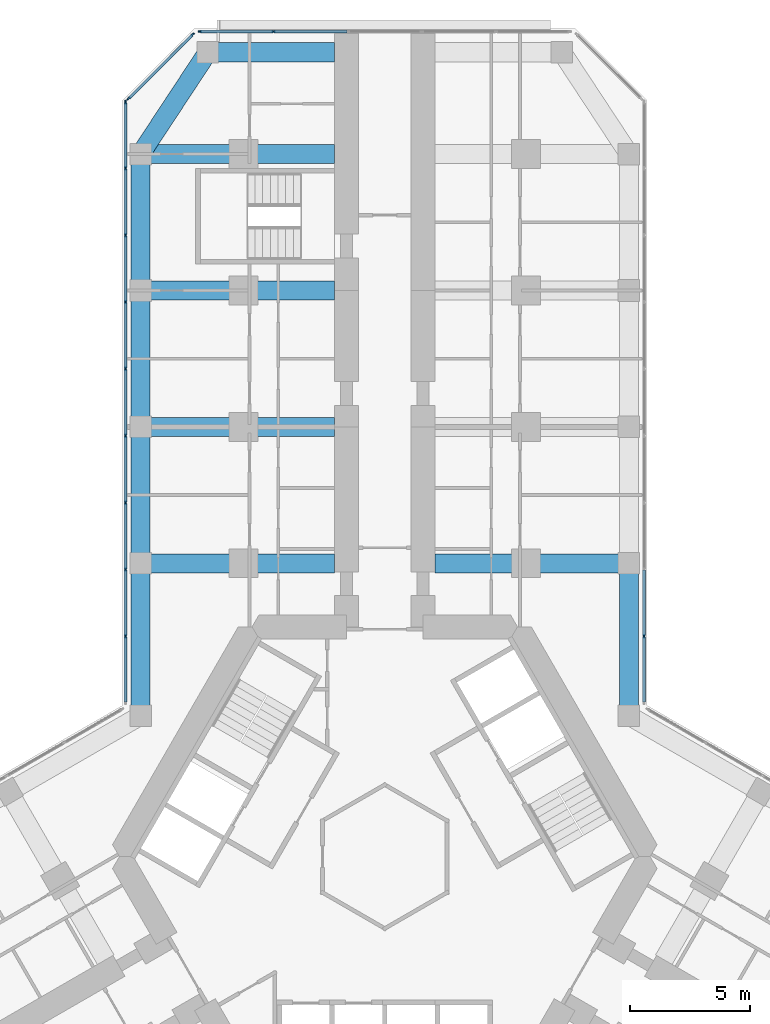
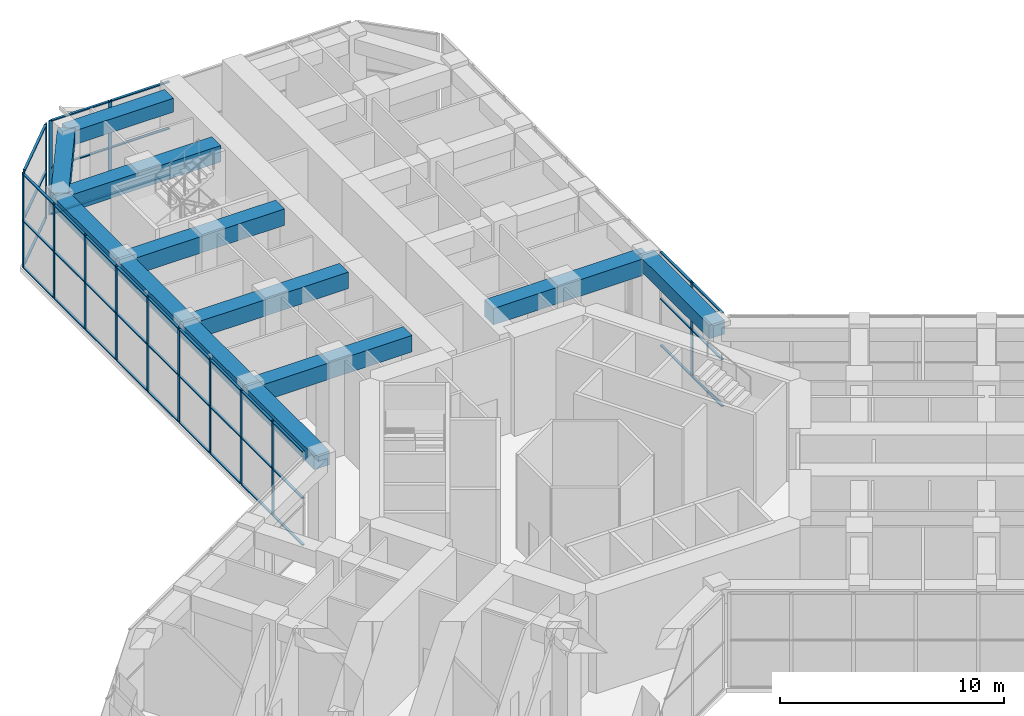
# One storey, part 8 of 23: 56 members, 12 beams, 4 elements without a shape of their own.
"""IFC4 building model written with IfcOpenShell, lengths in metres."""

from ifc_helpers import new_model, si_unit, direction, frame, origin, origin_2d, place, context, subcontext, project, spatial, rectangle, extrude, material, material_profile, profile_set, type_object, element, aggregate, save


model = new_model("IFC4")

# Units and contexts
model_context = context("Model", 3, precision=1e-05, world=origin(), true_north=direction((0.0, 1.0)))
body_context = subcontext(model_context, "Body", "Model", "MODEL_VIEW")
ifc_project = project(units=[si_unit("LENGTHUNIT", "METRE"), si_unit("AREAUNIT", "SQUARE_METRE"), si_unit("VOLUMEUNIT", "CUBIC_METRE"), si_unit("PLANEANGLEUNIT", "RADIAN"), si_unit("MASSUNIT", "GRAM", prefix="KILO")], contexts=[model_context])

# Site, building, storey
site_placement = place(None, origin())
site = spatial("IfcSite", under=ifc_project, at=site_placement, CompositionType="ELEMENT")
building_placement = place(site_placement, origin())
building = spatial("IfcBuilding", under=site, at=building_placement, Name="Kosmar Iwan School Tower", CompositionType="ELEMENT")
storey_placement = place(building_placement, frame((0.0, 0.0, 75.39990234375)))
storey = spatial("IfcBuildingStorey", under=building, at=storey_placement, Name="L18", CompositionType="ELEMENT", Elevation=75.39990234375)

# Curtain wall, member
ifc_material_1 = material(Name="Dark glass in black aluminium frame", Category="aluminium")
curtain_wall_type_1 = type_object("IfcCurtainWallType", Name="Winter garden curtain wall", PredefinedType="USERDEFINED", material=ifc_material_1)
curtain_wall_1_placement = place(storey_placement, origin())
curtain_wall_1 = element("IfcCurtainWall", 1, at=curtain_wall_1_placement, inside=storey, type_object=curtain_wall_type_1, Name="Curtain wall L18-F06", ObjectType="WINTER GARDEN CURTAIN WALL", PredefinedType="USERDEFINED")
ifc_material_2 = material(Name="Black anodised aluminium", Category="aluminium")
ifc_material_profile_1 = material_profile(ifc_material_2, rectangle(XDim=0.06005859375, YDim=0.159912109375, at=origin_2d()), Name="MULLION 60x160")
ifc_profile_set_1 = profile_set([ifc_material_profile_1], Name="Black anodised aluminium")
member_type_1 = type_object("IfcMemberType", Name="Mullion 60x160", PredefinedType="MULLION", material=ifc_profile_set_1)
member_1_placement = place(storey_placement, frame((10.824951171875, 9.2021484375, 0.0), z_axis=(0.0, 0.0, 1.0), x_axis=(-1.0, 0.0, 0.0)))
member_1 = element("IfcMember", 2, at=member_1_placement, type_object=member_type_1, Name="CW7 mullion 2", PredefinedType="MULLION", context=body_context, shape_type="SweptSolid", body=[
    extrude(rectangle(XDim=0.06005859375, YDim=0.159912109375, at=origin_2d()), origin(), (0.0, 0.0, 1.0), 5.150146484375),
])

# Curtain wall, members
ifc_material_3 = material(Name="Dark glass in black aluminium frame", Category="aluminium")
curtain_wall_type_2 = type_object("IfcCurtainWallType", Name="Tower curtain wall dark glass", PredefinedType="USERDEFINED", material=ifc_material_3)
curtain_wall_2_placement = place(storey_placement, origin())
curtain_wall_2 = element("IfcCurtainWall", 3, at=curtain_wall_2_placement, inside=storey, type_object=curtain_wall_type_2, Name="Curtain wall L18-F08", ObjectType="UNITISED CURTAIN WALL", PredefinedType="USERDEFINED")
member_2_placement = place(storey_placement, frame((-4.64892578125, 34.47509765625, 0.0), z_axis=(0.0, 0.0, 1.0), x_axis=(0.0, -1.0, 0.0)))
member_2 = element("IfcMember", 4, at=member_2_placement, type_object=member_type_1, Name="CW1 mullion 5", PredefinedType="MULLION", context=body_context, shape_type="SweptSolid", body=[
    extrude(rectangle(XDim=0.06005859375, YDim=0.159912109375, at=origin_2d()), origin(), (0.0, 0.0, 1.0), 5.150146484375),
])
member_3_placement = place(storey_placement, frame((-7.71826171875, 34.47509765625, 0.0), z_axis=(0.0, 0.0, 1.0), x_axis=(0.0, -1.0, 0.0)))
member_3 = element("IfcMember", 5, at=member_3_placement, type_object=member_type_1, Name="CW1 mullion 6", PredefinedType="MULLION", context=body_context, shape_type="SweptSolid", body=[
    extrude(rectangle(XDim=0.06005859375, YDim=0.159912109375, at=origin_2d()), origin(), (0.0, 0.0, 1.0), 5.150146484375),
])

ifc_material_4 = material(Name="Dark glass in black aluminium frame", Category="aluminium")
curtain_wall_type_3 = type_object("IfcCurtainWallType", Name="Chamfer curtain wall dark glass", PredefinedType="USERDEFINED", material=ifc_material_4)
curtain_wall_3_placement = place(storey_placement, origin())
curtain_wall_3 = element("IfcCurtainWall", 6, at=curtain_wall_3_placement, inside=storey, type_object=curtain_wall_type_3, Name="Curtain wall L18-F09", ObjectType="FACETED CURTAIN WALL", PredefinedType="USERDEFINED")
member_4_placement = place(storey_placement, frame((-8.025390625, 34.34765625, 0.0), z_axis=(0.0, 0.0, 1.0), x_axis=(0.707106781187, -0.707106781187, 0.0)))
member_4 = element("IfcMember", 7, at=member_4_placement, type_object=member_type_1, Name="CW2 mullion 1", PredefinedType="MULLION", context=body_context, shape_type="SweptSolid", body=[
    extrude(rectangle(XDim=0.06005859375, YDim=0.159912109375, at=origin_2d()), origin(), (0.0, 0.0, 1.0), 5.150146484375),
])
member_5_placement = place(storey_placement, frame((-10.69775390625, 31.675537109375, 0.0), z_axis=(0.0, 0.0, 1.0), x_axis=(0.707106781187, -0.707106781187, 0.0)))
member_5 = element("IfcMember", 8, at=member_5_placement, type_object=member_type_1, Name="CW2 mullion 2", PredefinedType="MULLION", context=body_context, shape_type="SweptSolid", body=[
    extrude(rectangle(XDim=0.06005859375, YDim=0.159912109375, at=origin_2d()), origin(), (0.0, 0.0, 1.0), 5.150146484375),
])

curtain_wall_4_placement = place(storey_placement, origin())
curtain_wall_4 = element("IfcCurtainWall", 9, at=curtain_wall_4_placement, inside=storey, type_object=curtain_wall_type_1, Name="Curtain wall L18-F10", ObjectType="WINTER GARDEN CURTAIN WALL", PredefinedType="USERDEFINED")
member_6_placement = place(storey_placement, frame((-10.824951171875, 9.2021484375, 0.0), z_axis=(0.0, 0.0, 1.0), x_axis=(-1.0, 0.0, 0.0)))
member_6 = element("IfcMember", 10, at=member_6_placement, type_object=member_type_1, Name="CW7 mullion 2", PredefinedType="MULLION", context=body_context, shape_type="SweptSolid", body=[
    extrude(rectangle(XDim=0.06005859375, YDim=0.159912109375, at=origin_2d()), origin(), (0.0, 0.0, 1.0), 5.150146484375),
])
member_7_placement = place(storey_placement, frame((-10.824951171875, 11.995361328125, 0.0), z_axis=(0.0, 0.0, 1.0), x_axis=(-1.0, 0.0, 0.0)))
member_7 = element("IfcMember", 11, at=member_7_placement, type_object=member_type_1, Name="CW7 mullion 3", PredefinedType="MULLION", context=body_context, shape_type="SweptSolid", body=[
    extrude(rectangle(XDim=0.06005859375, YDim=0.159912109375, at=origin_2d()), origin(), (0.0, 0.0, 1.0), 5.150146484375),
])
member_8_placement = place(storey_placement, frame((-10.824951171875, 14.788818359375, 0.0), z_axis=(0.0, 0.0, 1.0), x_axis=(-1.0, 0.0, 0.0)))
member_8 = element("IfcMember", 12, at=member_8_placement, type_object=member_type_1, Name="CW7 mullion 4", PredefinedType="MULLION", context=body_context, shape_type="SweptSolid", body=[
    extrude(rectangle(XDim=0.06005859375, YDim=0.159912109375, at=origin_2d()), origin(), (0.0, 0.0, 1.0), 5.150146484375),
])
member_9_placement = place(storey_placement, frame((-10.824951171875, 17.58203125, 0.0), z_axis=(0.0, 0.0, 1.0), x_axis=(-1.0, 0.0, 0.0)))
member_9 = element("IfcMember", 13, at=member_9_placement, type_object=member_type_1, Name="CW7 mullion 5", PredefinedType="MULLION", context=body_context, shape_type="SweptSolid", body=[
    extrude(rectangle(XDim=0.06005859375, YDim=0.159912109375, at=origin_2d()), origin(), (0.0, 0.0, 1.0), 5.150146484375),
])
member_10_placement = place(storey_placement, frame((-10.824951171875, 20.375244140625, 0.0), z_axis=(0.0, 0.0, 1.0), x_axis=(-1.0, 0.0, 0.0)))
member_10 = element("IfcMember", 14, at=member_10_placement, type_object=member_type_1, Name="CW7 mullion 6", PredefinedType="MULLION", context=body_context, shape_type="SweptSolid", body=[
    extrude(rectangle(XDim=0.06005859375, YDim=0.159912109375, at=origin_2d()), origin(), (0.0, 0.0, 1.0), 5.150146484375),
])
member_11_placement = place(storey_placement, frame((-10.824951171875, 23.16845703125, 0.0), z_axis=(0.0, 0.0, 1.0), x_axis=(-1.0, 0.0, 0.0)))
member_11 = element("IfcMember", 15, at=member_11_placement, type_object=member_type_1, Name="CW7 mullion 7", PredefinedType="MULLION", context=body_context, shape_type="SweptSolid", body=[
    extrude(rectangle(XDim=0.06005859375, YDim=0.159912109375, at=origin_2d()), origin(), (0.0, 0.0, 1.0), 5.150146484375),
])
member_12_placement = place(storey_placement, frame((-10.824951171875, 25.961669921875, 0.0), z_axis=(0.0, 0.0, 1.0), x_axis=(-1.0, 0.0, 0.0)))
member_12 = element("IfcMember", 16, at=member_12_placement, type_object=member_type_1, Name="CW7 mullion 8", PredefinedType="MULLION", context=body_context, shape_type="SweptSolid", body=[
    extrude(rectangle(XDim=0.06005859375, YDim=0.159912109375, at=origin_2d()), origin(), (0.0, 0.0, 1.0), 5.150146484375),
])
member_13_placement = place(storey_placement, frame((-10.824951171875, 28.7548828125, 0.0), z_axis=(0.0, 0.0, 1.0), x_axis=(-1.0, 0.0, 0.0)))
member_13 = element("IfcMember", 17, at=member_13_placement, type_object=member_type_1, Name="CW7 mullion 9", PredefinedType="MULLION", context=body_context, shape_type="SweptSolid", body=[
    extrude(rectangle(XDim=0.06005859375, YDim=0.159912109375, at=origin_2d()), origin(), (0.0, 0.0, 1.0), 5.150146484375),
])
member_14_placement = place(storey_placement, frame((-10.824951171875, 31.518310546875, 0.0), z_axis=(0.0, 0.0, 1.0), x_axis=(-1.0, 0.0, 0.0)))
member_14 = element("IfcMember", 18, at=member_14_placement, type_object=member_type_1, Name="CW7 mullion 10", PredefinedType="MULLION", context=body_context, shape_type="SweptSolid", body=[
    extrude(rectangle(XDim=0.06005859375, YDim=0.159912109375, at=origin_2d()), origin(), (0.0, 0.0, 1.0), 5.150146484375),
])

# Beams
ifc_material_5 = material(Name="Concrete C50/60", Category="concrete")
ifc_material_profile_2 = material_profile(ifc_material_5, rectangle(XDim=0.800048828125, YDim=0.75, at=origin_2d()), Name="RC 800x750")
ifc_profile_set_2 = profile_set([ifc_material_profile_2], Name="Concrete C50/60")
beam_type_1 = type_object("IfcBeamType", Name="RC edge beam 800x750", PredefinedType="BEAM", material=ifc_profile_set_2)
beam_1_placement = place(storey_placement, frame((-10.199951171875, 5.888916015625, 4.775146484375), z_axis=(0.0, 1.0, 0.0), x_axis=(-1.0, 0.0, 0.0)))
element("IfcBeam", 19, at=beam_1_placement, inside=storey, type_object=beam_type_1, Name="Edge beam AL1", PredefinedType="BEAM", context=body_context, shape_type="SweptSolid", body=[
    extrude(rectangle(XDim=0.800048828125, YDim=0.75, at=origin_2d()), origin(), (0.0, 0.0, 1.0), 6.361083984375),
])
for number, where, z_axis, x_axis, name in (
    (20, (-10.199951171875, 12.25, 4.775146484375), (0.0, 1.0, 0.0), (-1.0, 0.0, 0.0), "Edge beam AL2"),
    (21, (-10.199951171875, 17.949951171875, 4.775146484375), (0.0, 1.0, 0.0), (-1.0, 0.0, 0.0), "Edge beam AL3"),
):
    element("IfcBeam", number, at=place(storey_placement, frame(where, z_axis=z_axis, x_axis=x_axis)), inside=storey, type_object=beam_type_1, Name=name, PredefinedType="BEAM", context=body_context, shape_type="SweptSolid", body=[
        extrude(rectangle(XDim=0.800048828125, YDim=0.75, at=origin_2d()), origin(), (0.0, 0.0, 1.0), 5.699951171875),
    ])
beam_2_placement = place(storey_placement, frame((-10.199951171875, 23.64990234375, 4.775146484375), z_axis=(0.0, 1.0, 0.0), x_axis=(-1.0, 0.0, 0.0)))
element("IfcBeam", 22, at=beam_2_placement, inside=storey, type_object=beam_type_1, Name="Edge beam AL4", PredefinedType="BEAM", context=body_context, shape_type="SweptSolid", body=[
    extrude(rectangle(XDim=0.800048828125, YDim=0.75, at=origin_2d()), origin(), (0.0, 0.0, 1.0), 5.7001953125),
])
beam_3_placement = place(storey_placement, frame((10.199951171875, 5.888916015625, 4.775146484375), z_axis=(0.0, 1.0, 0.0), x_axis=(-1.0, 0.0, 0.0)))
element("IfcBeam", 23, at=beam_3_placement, inside=storey, type_object=beam_type_1, Name="Edge beam AR1", PredefinedType="BEAM", context=body_context, shape_type="SweptSolid", body=[
    extrude(rectangle(XDim=0.800048828125, YDim=0.75, at=origin_2d()), origin(), (0.0, 0.0, 1.0), 6.361083984375),
])
ifc_material_6 = material(Name="Concrete C50/60", Category="concrete")
ifc_material_profile_3 = material_profile(ifc_material_6, rectangle(XDim=0.800048828125, YDim=0.75, at=origin_2d()), Name="RC 800x750")
ifc_profile_set_3 = profile_set([ifc_material_profile_3], Name="Concrete C50/60")
beam_type_2 = type_object("IfcBeamType", Name="RC tip beam 800x750", PredefinedType="BEAM", material=ifc_profile_set_3)
beam_4_placement = place(storey_placement, frame((-10.199951171875, 29.35009765625, 4.775146484375), z_axis=(0.550164383043, 0.835056376319, 0.0), x_axis=(-0.835056376319, 0.550164383043, 0.0)))
element("IfcBeam", 24, at=beam_4_placement, inside=storey, type_object=beam_type_2, Name="Tip beam AL", PredefinedType="BEAM", context=body_context, shape_type="SweptSolid", body=[
    extrude(rectangle(XDim=0.800048828125, YDim=0.75, at=origin_2d()), origin(), (0.0, 0.0, 1.0), 5.08935546875),
])
beam_5_placement = place(storey_placement, frame((-7.39990234375, 33.60009765625, 4.775146484375), z_axis=(1.0, 0.0, 0.0), x_axis=(0.0, 1.0, 0.0)))
element("IfcBeam", 25, at=beam_5_placement, inside=storey, type_object=beam_type_2, Name="Tip beam AL to corridor wall", PredefinedType="BEAM", context=body_context, shape_type="SweptSolid", body=[
    extrude(rectangle(XDim=0.800048828125, YDim=0.75, at=origin_2d()), origin(), (0.0, 0.0, 1.0), 5.2998046875),
])
ifc_material_7 = material(Name="Concrete C50/60", Category="concrete")
ifc_material_profile_4 = material_profile(ifc_material_7, rectangle(XDim=0.800048828125, YDim=0.89990234375, at=origin_2d()), Name="RC 800x900")
ifc_profile_set_4 = profile_set([ifc_material_profile_4], Name="Concrete C50/60")
beam_type_3 = type_object("IfcBeamType", Name="RC transverse beam 800x900", PredefinedType="BEAM", material=ifc_profile_set_4)
for number, where, z_axis, x_axis, name in (
    (26, (-10.199951171875, 12.25, 4.7001953125), (1.0, 0.0, 0.0), (0.0, 1.0, 0.0), "Transverse beam AL1"),
    (27, (-10.199951171875, 17.949951171875, 4.7001953125), (1.0, 0.0, 0.0), (0.0, 1.0, 0.0), "Transverse beam AL2"),
    (28, (-10.199951171875, 23.64990234375, 4.7001953125), (1.0, 0.0, 0.0), (0.0, 1.0, 0.0), "Transverse beam AL3"),
    (29, (-10.199951171875, 29.35009765625, 4.7001953125), (1.0, 0.0, 0.0), (0.0, 1.0, 0.0), "Transverse beam AL4"),
    (30, (10.199951171875, 12.25, 4.7001953125), (-1.0, 0.0, 0.0), (0.0, -1.0, 0.0), "Transverse beam AR1"),
):
    element("IfcBeam", number, at=place(storey_placement, frame(where, z_axis=z_axis, x_axis=x_axis)), inside=storey, type_object=beam_type_3, Name=name, PredefinedType="BEAM", context=body_context, shape_type="SweptSolid", body=[
        extrude(rectangle(XDim=0.800048828125, YDim=0.89990234375, at=origin_2d()), origin(), (0.0, 0.0, 1.0), 8.099853515625),
    ])

# Member
ifc_material_8 = material(Name="Black anodised aluminium", Category="aluminium")
ifc_material_profile_5 = material_profile(ifc_material_8, rectangle(XDim=0.1201171875, YDim=0.06005859375, at=origin_2d()), Name="TRANSOM 60x120")
ifc_profile_set_5 = profile_set([ifc_material_profile_5], Name="Black anodised aluminium")
member_type_2 = type_object("IfcMemberType", Name="Transom 60x120", PredefinedType="USERDEFINED", material=ifc_profile_set_5)
member_15_placement = place(storey_placement, frame((10.824951171875, 6.468994140625, 0.030029296875), z_axis=(0.0, 1.0, 0.0), x_axis=(-1.0, 0.0, 0.0)))
member_15 = element("IfcMember", 31, at=member_15_placement, type_object=member_type_2, Name="CW7 transom 1.1", ObjectType="TRANSOM", PredefinedType="USERDEFINED", context=body_context, shape_type="SweptSolid", body=[
    extrude(rectangle(XDim=0.1201171875, YDim=0.06005859375, at=origin_2d()), origin(), (0.0, 0.0, 1.0), 2.703125),
])

member_16_placement = place(storey_placement, frame((10.824951171875, 6.468994140625, 2.5751953125), z_axis=(0.0, 1.0, 0.0), x_axis=(-1.0, 0.0, 0.0)))
member_16 = element("IfcMember", 32, at=member_16_placement, type_object=member_type_2, Name="CW7 transom 1.2", ObjectType="TRANSOM", PredefinedType="USERDEFINED", context=body_context, shape_type="SweptSolid", body=[
    extrude(rectangle(XDim=0.1201171875, YDim=0.06005859375, at=origin_2d()), origin(), (0.0, 0.0, 1.0), 2.703125),
])

member_17_placement = place(storey_placement, frame((10.824951171875, 6.468994140625, 5.1201171875), z_axis=(0.0, 1.0, 0.0), x_axis=(-1.0, 0.0, 0.0)))
member_17 = element("IfcMember", 33, at=member_17_placement, type_object=member_type_2, Name="CW7 transom 1.3", ObjectType="TRANSOM", PredefinedType="USERDEFINED", context=body_context, shape_type="SweptSolid", body=[
    extrude(rectangle(XDim=0.1201171875, YDim=0.06005859375, at=origin_2d()), origin(), (0.0, 0.0, 1.0), 2.703125),
])

member_18_placement = place(storey_placement, frame((10.824951171875, 9.232177734375, 0.030029296875), z_axis=(0.0, 1.0, 0.0), x_axis=(-1.0, 0.0, 0.0)))
member_18 = element("IfcMember", 34, at=member_18_placement, type_object=member_type_2, Name="CW7 transom 2.1", ObjectType="TRANSOM", PredefinedType="USERDEFINED", context=body_context, shape_type="SweptSolid", body=[
    extrude(rectangle(XDim=0.1201171875, YDim=0.06005859375, at=origin_2d()), origin(), (0.0, 0.0, 1.0), 2.7333984375),
])

member_19_placement = place(storey_placement, frame((10.824951171875, 9.232177734375, 2.5751953125), z_axis=(0.0, 1.0, 0.0), x_axis=(-1.0, 0.0, 0.0)))
member_19 = element("IfcMember", 35, at=member_19_placement, type_object=member_type_2, Name="CW7 transom 2.2", ObjectType="TRANSOM", PredefinedType="USERDEFINED", context=body_context, shape_type="SweptSolid", body=[
    extrude(rectangle(XDim=0.1201171875, YDim=0.06005859375, at=origin_2d()), origin(), (0.0, 0.0, 1.0), 2.7333984375),
])

member_20_placement = place(storey_placement, frame((10.824951171875, 9.232177734375, 5.1201171875), z_axis=(0.0, 1.0, 0.0), x_axis=(-1.0, 0.0, 0.0)))
member_20 = element("IfcMember", 36, at=member_20_placement, type_object=member_type_2, Name="CW7 transom 2.3", ObjectType="TRANSOM", PredefinedType="USERDEFINED", context=body_context, shape_type="SweptSolid", body=[
    extrude(rectangle(XDim=0.1201171875, YDim=0.06005859375, at=origin_2d()), origin(), (0.0, 0.0, 1.0), 2.7333984375),
])

aggregate(curtain_wall_1, [member_1, member_15, member_16, member_17, member_18, member_19, member_20])

member_21_placement = place(storey_placement, frame((-1.57958984375, 34.47509765625, 0.030029296875), z_axis=(-1.0, 0.0, 0.0), x_axis=(0.0, -1.0, 0.0)))
member_21 = element("IfcMember", 37, at=member_21_placement, type_object=member_type_2, Name="CW1 transom 4.1", ObjectType="TRANSOM", PredefinedType="USERDEFINED", context=body_context, shape_type="SweptSolid", body=[
    extrude(rectangle(XDim=0.1201171875, YDim=0.06005859375, at=origin_2d()), origin(), (0.0, 0.0, 1.0), 3.039306640625),
])

member_22_placement = place(storey_placement, frame((-1.57958984375, 34.47509765625, 2.5751953125), z_axis=(-1.0, 0.0, 0.0), x_axis=(0.0, -1.0, 0.0)))
member_22 = element("IfcMember", 38, at=member_22_placement, type_object=member_type_2, Name="CW1 transom 4.2", ObjectType="TRANSOM", PredefinedType="USERDEFINED", context=body_context, shape_type="SweptSolid", body=[
    extrude(rectangle(XDim=0.1201171875, YDim=0.06005859375, at=origin_2d()), origin(), (0.0, 0.0, 1.0), 3.039306640625),
])

member_23_placement = place(storey_placement, frame((-1.57958984375, 34.47509765625, 5.1201171875), z_axis=(-1.0, 0.0, 0.0), x_axis=(0.0, -1.0, 0.0)))
member_23 = element("IfcMember", 39, at=member_23_placement, type_object=member_type_2, Name="CW1 transom 4.3", ObjectType="TRANSOM", PredefinedType="USERDEFINED", context=body_context, shape_type="SweptSolid", body=[
    extrude(rectangle(XDim=0.1201171875, YDim=0.06005859375, at=origin_2d()), origin(), (0.0, 0.0, 1.0), 3.039306640625),
])

member_24_placement = place(storey_placement, frame((-4.678955078125, 34.47509765625, 0.030029296875), z_axis=(-1.0, 0.0, 0.0), x_axis=(0.0, -1.0, 0.0)))
member_24 = element("IfcMember", 40, at=member_24_placement, type_object=member_type_2, Name="CW1 transom 5.1", ObjectType="TRANSOM", PredefinedType="USERDEFINED", context=body_context, shape_type="SweptSolid", body=[
    extrude(rectangle(XDim=0.1201171875, YDim=0.06005859375, at=origin_2d()), origin(), (0.0, 0.0, 1.0), 3.00927734375),
])

member_25_placement = place(storey_placement, frame((-4.678955078125, 34.47509765625, 2.5751953125), z_axis=(-1.0, 0.0, 0.0), x_axis=(0.0, -1.0, 0.0)))
member_25 = element("IfcMember", 41, at=member_25_placement, type_object=member_type_2, Name="CW1 transom 5.2", ObjectType="TRANSOM", PredefinedType="USERDEFINED", context=body_context, shape_type="SweptSolid", body=[
    extrude(rectangle(XDim=0.1201171875, YDim=0.06005859375, at=origin_2d()), origin(), (0.0, 0.0, 1.0), 3.00927734375),
])

member_26_placement = place(storey_placement, frame((-4.678955078125, 34.47509765625, 5.1201171875), z_axis=(-1.0, 0.0, 0.0), x_axis=(0.0, -1.0, 0.0)))
member_26 = element("IfcMember", 42, at=member_26_placement, type_object=member_type_2, Name="CW1 transom 5.3", ObjectType="TRANSOM", PredefinedType="USERDEFINED", context=body_context, shape_type="SweptSolid", body=[
    extrude(rectangle(XDim=0.1201171875, YDim=0.06005859375, at=origin_2d()), origin(), (0.0, 0.0, 1.0), 3.00927734375),
])

aggregate(curtain_wall_2, [member_2, member_3, member_21, member_22, member_23, member_24, member_25, member_26])

member_27_placement = place(storey_placement, frame((-8.046630859375, 34.326416015625, 0.030029296875), z_axis=(-0.707139603466, -0.707073957383, 0.0), x_axis=(0.707073957383, -0.707139603466, 0.0)))
member_27 = element("IfcMember", 43, at=member_27_placement, type_object=member_type_2, Name="CW2 transom 1.1", ObjectType="TRANSOM", PredefinedType="USERDEFINED", context=body_context, shape_type="SweptSolid", body=[
    extrude(rectangle(XDim=0.1201171875, YDim=0.06005859375, at=origin_2d()), origin(), (0.0, 0.0, 1.0), 3.718994140625),
])

member_28_placement = place(storey_placement, frame((-8.046630859375, 34.326416015625, 2.5751953125), z_axis=(-0.707139603466, -0.707073957383, 0.0), x_axis=(0.707073957383, -0.707139603466, 0.0)))
member_28 = element("IfcMember", 44, at=member_28_placement, type_object=member_type_2, Name="CW2 transom 1.2", ObjectType="TRANSOM", PredefinedType="USERDEFINED", context=body_context, shape_type="SweptSolid", body=[
    extrude(rectangle(XDim=0.1201171875, YDim=0.06005859375, at=origin_2d()), origin(), (0.0, 0.0, 1.0), 3.718994140625),
])

member_29_placement = place(storey_placement, frame((-8.046630859375, 34.326416015625, 5.1201171875), z_axis=(-0.707139603466, -0.707073957383, 0.0), x_axis=(0.707073957383, -0.707139603466, 0.0)))
member_29 = element("IfcMember", 45, at=member_29_placement, type_object=member_type_2, Name="CW2 transom 1.3", ObjectType="TRANSOM", PredefinedType="USERDEFINED", context=body_context, shape_type="SweptSolid", body=[
    extrude(rectangle(XDim=0.1201171875, YDim=0.06005859375, at=origin_2d()), origin(), (0.0, 0.0, 1.0), 3.718994140625),
])

aggregate(curtain_wall_3, [member_4, member_5, member_27, member_28, member_29])

member_30_placement = place(storey_placement, frame((-10.824951171875, 6.468994140625, 0.030029296875), z_axis=(0.0, 1.0, 0.0), x_axis=(-1.0, 0.0, 0.0)))
member_30 = element("IfcMember", 46, at=member_30_placement, type_object=member_type_2, Name="CW7 transom 1.1", ObjectType="TRANSOM", PredefinedType="USERDEFINED", context=body_context, shape_type="SweptSolid", body=[
    extrude(rectangle(XDim=0.1201171875, YDim=0.06005859375, at=origin_2d()), origin(), (0.0, 0.0, 1.0), 2.703125),
])

member_31_placement = place(storey_placement, frame((-10.824951171875, 6.468994140625, 2.5751953125), z_axis=(0.0, 1.0, 0.0), x_axis=(-1.0, 0.0, 0.0)))
member_31 = element("IfcMember", 47, at=member_31_placement, type_object=member_type_2, Name="CW7 transom 1.2", ObjectType="TRANSOM", PredefinedType="USERDEFINED", context=body_context, shape_type="SweptSolid", body=[
    extrude(rectangle(XDim=0.1201171875, YDim=0.06005859375, at=origin_2d()), origin(), (0.0, 0.0, 1.0), 2.703125),
])

member_32_placement = place(storey_placement, frame((-10.824951171875, 6.468994140625, 5.1201171875), z_axis=(0.0, 1.0, 0.0), x_axis=(-1.0, 0.0, 0.0)))
member_32 = element("IfcMember", 48, at=member_32_placement, type_object=member_type_2, Name="CW7 transom 1.3", ObjectType="TRANSOM", PredefinedType="USERDEFINED", context=body_context, shape_type="SweptSolid", body=[
    extrude(rectangle(XDim=0.1201171875, YDim=0.06005859375, at=origin_2d()), origin(), (0.0, 0.0, 1.0), 2.703125),
])

member_33_placement = place(storey_placement, frame((-10.824951171875, 9.232177734375, 0.030029296875), z_axis=(0.0, 1.0, 0.0), x_axis=(-1.0, 0.0, 0.0)))
member_33 = element("IfcMember", 49, at=member_33_placement, type_object=member_type_2, Name="CW7 transom 2.1", ObjectType="TRANSOM", PredefinedType="USERDEFINED", context=body_context, shape_type="SweptSolid", body=[
    extrude(rectangle(XDim=0.1201171875, YDim=0.06005859375, at=origin_2d()), origin(), (0.0, 0.0, 1.0), 2.7333984375),
])

member_34_placement = place(storey_placement, frame((-10.824951171875, 9.232177734375, 2.5751953125), z_axis=(0.0, 1.0, 0.0), x_axis=(-1.0, 0.0, 0.0)))
member_34 = element("IfcMember", 50, at=member_34_placement, type_object=member_type_2, Name="CW7 transom 2.2", ObjectType="TRANSOM", PredefinedType="USERDEFINED", context=body_context, shape_type="SweptSolid", body=[
    extrude(rectangle(XDim=0.1201171875, YDim=0.06005859375, at=origin_2d()), origin(), (0.0, 0.0, 1.0), 2.7333984375),
])

member_35_placement = place(storey_placement, frame((-10.824951171875, 9.232177734375, 5.1201171875), z_axis=(0.0, 1.0, 0.0), x_axis=(-1.0, 0.0, 0.0)))
member_35 = element("IfcMember", 51, at=member_35_placement, type_object=member_type_2, Name="CW7 transom 2.3", ObjectType="TRANSOM", PredefinedType="USERDEFINED", context=body_context, shape_type="SweptSolid", body=[
    extrude(rectangle(XDim=0.1201171875, YDim=0.06005859375, at=origin_2d()), origin(), (0.0, 0.0, 1.0), 2.7333984375),
])

member_36_placement = place(storey_placement, frame((-10.824951171875, 12.025390625, 0.030029296875), z_axis=(0.0, 1.0, 0.0), x_axis=(-1.0, 0.0, 0.0)))
member_36 = element("IfcMember", 52, at=member_36_placement, type_object=member_type_2, Name="CW7 transom 3.1", ObjectType="TRANSOM", PredefinedType="USERDEFINED", context=body_context, shape_type="SweptSolid", body=[
    extrude(rectangle(XDim=0.1201171875, YDim=0.06005859375, at=origin_2d()), origin(), (0.0, 0.0, 1.0), 2.7333984375),
])

member_37_placement = place(storey_placement, frame((-10.824951171875, 12.025390625, 2.5751953125), z_axis=(0.0, 1.0, 0.0), x_axis=(-1.0, 0.0, 0.0)))
member_37 = element("IfcMember", 53, at=member_37_placement, type_object=member_type_2, Name="CW7 transom 3.2", ObjectType="TRANSOM", PredefinedType="USERDEFINED", context=body_context, shape_type="SweptSolid", body=[
    extrude(rectangle(XDim=0.1201171875, YDim=0.06005859375, at=origin_2d()), origin(), (0.0, 0.0, 1.0), 2.7333984375),
])

member_38_placement = place(storey_placement, frame((-10.824951171875, 12.025390625, 5.1201171875), z_axis=(0.0, 1.0, 0.0), x_axis=(-1.0, 0.0, 0.0)))
member_38 = element("IfcMember", 54, at=member_38_placement, type_object=member_type_2, Name="CW7 transom 3.3", ObjectType="TRANSOM", PredefinedType="USERDEFINED", context=body_context, shape_type="SweptSolid", body=[
    extrude(rectangle(XDim=0.1201171875, YDim=0.06005859375, at=origin_2d()), origin(), (0.0, 0.0, 1.0), 2.7333984375),
])

member_39_placement = place(storey_placement, frame((-10.824951171875, 14.818603515625, 0.030029296875), z_axis=(0.0, 1.0, 0.0), x_axis=(-1.0, 0.0, 0.0)))
member_39 = element("IfcMember", 55, at=member_39_placement, type_object=member_type_2, Name="CW7 transom 4.1", ObjectType="TRANSOM", PredefinedType="USERDEFINED", context=body_context, shape_type="SweptSolid", body=[
    extrude(rectangle(XDim=0.1201171875, YDim=0.06005859375, at=origin_2d()), origin(), (0.0, 0.0, 1.0), 2.7333984375),
])

member_40_placement = place(storey_placement, frame((-10.824951171875, 14.818603515625, 2.5751953125), z_axis=(0.0, 1.0, 0.0), x_axis=(-1.0, 0.0, 0.0)))
member_40 = element("IfcMember", 56, at=member_40_placement, type_object=member_type_2, Name="CW7 transom 4.2", ObjectType="TRANSOM", PredefinedType="USERDEFINED", context=body_context, shape_type="SweptSolid", body=[
    extrude(rectangle(XDim=0.1201171875, YDim=0.06005859375, at=origin_2d()), origin(), (0.0, 0.0, 1.0), 2.7333984375),
])

member_41_placement = place(storey_placement, frame((-10.824951171875, 14.818603515625, 5.1201171875), z_axis=(0.0, 1.0, 0.0), x_axis=(-1.0, 0.0, 0.0)))
member_41 = element("IfcMember", 57, at=member_41_placement, type_object=member_type_2, Name="CW7 transom 4.3", ObjectType="TRANSOM", PredefinedType="USERDEFINED", context=body_context, shape_type="SweptSolid", body=[
    extrude(rectangle(XDim=0.1201171875, YDim=0.06005859375, at=origin_2d()), origin(), (0.0, 0.0, 1.0), 2.7333984375),
])

member_42_placement = place(storey_placement, frame((-10.824951171875, 17.612060546875, 0.030029296875), z_axis=(0.0, 1.0, 0.0), x_axis=(-1.0, 0.0, 0.0)))
member_42 = element("IfcMember", 58, at=member_42_placement, type_object=member_type_2, Name="CW7 transom 5.1", ObjectType="TRANSOM", PredefinedType="USERDEFINED", context=body_context, shape_type="SweptSolid", body=[
    extrude(rectangle(XDim=0.1201171875, YDim=0.06005859375, at=origin_2d()), origin(), (0.0, 0.0, 1.0), 2.733154296875),
])

member_43_placement = place(storey_placement, frame((-10.824951171875, 17.612060546875, 2.5751953125), z_axis=(0.0, 1.0, 0.0), x_axis=(-1.0, 0.0, 0.0)))
member_43 = element("IfcMember", 59, at=member_43_placement, type_object=member_type_2, Name="CW7 transom 5.2", ObjectType="TRANSOM", PredefinedType="USERDEFINED", context=body_context, shape_type="SweptSolid", body=[
    extrude(rectangle(XDim=0.1201171875, YDim=0.06005859375, at=origin_2d()), origin(), (0.0, 0.0, 1.0), 2.733154296875),
])

member_44_placement = place(storey_placement, frame((-10.824951171875, 17.612060546875, 5.1201171875), z_axis=(0.0, 1.0, 0.0), x_axis=(-1.0, 0.0, 0.0)))
member_44 = element("IfcMember", 60, at=member_44_placement, type_object=member_type_2, Name="CW7 transom 5.3", ObjectType="TRANSOM", PredefinedType="USERDEFINED", context=body_context, shape_type="SweptSolid", body=[
    extrude(rectangle(XDim=0.1201171875, YDim=0.06005859375, at=origin_2d()), origin(), (0.0, 0.0, 1.0), 2.733154296875),
])

member_45_placement = place(storey_placement, frame((-10.824951171875, 20.4052734375, 0.030029296875), z_axis=(0.0, 1.0, 0.0), x_axis=(-1.0, 0.0, 0.0)))
member_45 = element("IfcMember", 61, at=member_45_placement, type_object=member_type_2, Name="CW7 transom 6.1", ObjectType="TRANSOM", PredefinedType="USERDEFINED", context=body_context, shape_type="SweptSolid", body=[
    extrude(rectangle(XDim=0.1201171875, YDim=0.06005859375, at=origin_2d()), origin(), (0.0, 0.0, 1.0), 2.733154296875),
])

member_46_placement = place(storey_placement, frame((-10.824951171875, 20.4052734375, 2.5751953125), z_axis=(0.0, 1.0, 0.0), x_axis=(-1.0, 0.0, 0.0)))
member_46 = element("IfcMember", 62, at=member_46_placement, type_object=member_type_2, Name="CW7 transom 6.2", ObjectType="TRANSOM", PredefinedType="USERDEFINED", context=body_context, shape_type="SweptSolid", body=[
    extrude(rectangle(XDim=0.1201171875, YDim=0.06005859375, at=origin_2d()), origin(), (0.0, 0.0, 1.0), 2.733154296875),
])

member_47_placement = place(storey_placement, frame((-10.824951171875, 20.4052734375, 5.1201171875), z_axis=(0.0, 1.0, 0.0), x_axis=(-1.0, 0.0, 0.0)))
member_47 = element("IfcMember", 63, at=member_47_placement, type_object=member_type_2, Name="CW7 transom 6.3", ObjectType="TRANSOM", PredefinedType="USERDEFINED", context=body_context, shape_type="SweptSolid", body=[
    extrude(rectangle(XDim=0.1201171875, YDim=0.06005859375, at=origin_2d()), origin(), (0.0, 0.0, 1.0), 2.733154296875),
])

member_48_placement = place(storey_placement, frame((-10.824951171875, 23.198486328125, 0.030029296875), z_axis=(0.0, 1.0, 0.0), x_axis=(-1.0, 0.0, 0.0)))
member_48 = element("IfcMember", 64, at=member_48_placement, type_object=member_type_2, Name="CW7 transom 7.1", ObjectType="TRANSOM", PredefinedType="USERDEFINED", context=body_context, shape_type="SweptSolid", body=[
    extrude(rectangle(XDim=0.1201171875, YDim=0.06005859375, at=origin_2d()), origin(), (0.0, 0.0, 1.0), 2.733154296875),
])

member_49_placement = place(storey_placement, frame((-10.824951171875, 23.198486328125, 2.5751953125), z_axis=(0.0, 1.0, 0.0), x_axis=(-1.0, 0.0, 0.0)))
member_49 = element("IfcMember", 65, at=member_49_placement, type_object=member_type_2, Name="CW7 transom 7.2", ObjectType="TRANSOM", PredefinedType="USERDEFINED", context=body_context, shape_type="SweptSolid", body=[
    extrude(rectangle(XDim=0.1201171875, YDim=0.06005859375, at=origin_2d()), origin(), (0.0, 0.0, 1.0), 2.733154296875),
])

member_50_placement = place(storey_placement, frame((-10.824951171875, 23.198486328125, 5.1201171875), z_axis=(0.0, 1.0, 0.0), x_axis=(-1.0, 0.0, 0.0)))
member_50 = element("IfcMember", 66, at=member_50_placement, type_object=member_type_2, Name="CW7 transom 7.3", ObjectType="TRANSOM", PredefinedType="USERDEFINED", context=body_context, shape_type="SweptSolid", body=[
    extrude(rectangle(XDim=0.1201171875, YDim=0.06005859375, at=origin_2d()), origin(), (0.0, 0.0, 1.0), 2.733154296875),
])

member_51_placement = place(storey_placement, frame((-10.824951171875, 25.99169921875, 0.030029296875), z_axis=(0.0, 1.0, 0.0), x_axis=(-1.0, 0.0, 0.0)))
member_51 = element("IfcMember", 67, at=member_51_placement, type_object=member_type_2, Name="CW7 transom 8.1", ObjectType="TRANSOM", PredefinedType="USERDEFINED", context=body_context, shape_type="SweptSolid", body=[
    extrude(rectangle(XDim=0.1201171875, YDim=0.06005859375, at=origin_2d()), origin(), (0.0, 0.0, 1.0), 2.733154296875),
])

member_52_placement = place(storey_placement, frame((-10.824951171875, 25.99169921875, 2.5751953125), z_axis=(0.0, 1.0, 0.0), x_axis=(-1.0, 0.0, 0.0)))
member_52 = element("IfcMember", 68, at=member_52_placement, type_object=member_type_2, Name="CW7 transom 8.2", ObjectType="TRANSOM", PredefinedType="USERDEFINED", context=body_context, shape_type="SweptSolid", body=[
    extrude(rectangle(XDim=0.1201171875, YDim=0.06005859375, at=origin_2d()), origin(), (0.0, 0.0, 1.0), 2.733154296875),
])

member_53_placement = place(storey_placement, frame((-10.824951171875, 25.99169921875, 5.1201171875), z_axis=(0.0, 1.0, 0.0), x_axis=(-1.0, 0.0, 0.0)))
member_53 = element("IfcMember", 69, at=member_53_placement, type_object=member_type_2, Name="CW7 transom 8.3", ObjectType="TRANSOM", PredefinedType="USERDEFINED", context=body_context, shape_type="SweptSolid", body=[
    extrude(rectangle(XDim=0.1201171875, YDim=0.06005859375, at=origin_2d()), origin(), (0.0, 0.0, 1.0), 2.733154296875),
])

member_54_placement = place(storey_placement, frame((-10.824951171875, 28.784912109375, 0.030029296875), z_axis=(0.0, 1.0, 0.0), x_axis=(-1.0, 0.0, 0.0)))
member_54 = element("IfcMember", 70, at=member_54_placement, type_object=member_type_2, Name="CW7 transom 9.1", ObjectType="TRANSOM", PredefinedType="USERDEFINED", context=body_context, shape_type="SweptSolid", body=[
    extrude(rectangle(XDim=0.1201171875, YDim=0.06005859375, at=origin_2d()), origin(), (0.0, 0.0, 1.0), 2.703369140625),
])

member_55_placement = place(storey_placement, frame((-10.824951171875, 28.784912109375, 2.5751953125), z_axis=(0.0, 1.0, 0.0), x_axis=(-1.0, 0.0, 0.0)))
member_55 = element("IfcMember", 71, at=member_55_placement, type_object=member_type_2, Name="CW7 transom 9.2", ObjectType="TRANSOM", PredefinedType="USERDEFINED", context=body_context, shape_type="SweptSolid", body=[
    extrude(rectangle(XDim=0.1201171875, YDim=0.06005859375, at=origin_2d()), origin(), (0.0, 0.0, 1.0), 2.703369140625),
])

member_56_placement = place(storey_placement, frame((-10.824951171875, 28.784912109375, 5.1201171875), z_axis=(0.0, 1.0, 0.0), x_axis=(-1.0, 0.0, 0.0)))
member_56 = element("IfcMember", 72, at=member_56_placement, type_object=member_type_2, Name="CW7 transom 9.3", ObjectType="TRANSOM", PredefinedType="USERDEFINED", context=body_context, shape_type="SweptSolid", body=[
    extrude(rectangle(XDim=0.1201171875, YDim=0.06005859375, at=origin_2d()), origin(), (0.0, 0.0, 1.0), 2.703369140625),
])

aggregate(curtain_wall_4, [member_6, member_7, member_8, member_9, member_10, member_11, member_12, member_13, member_14, member_30, member_31, member_32, member_33, member_34, member_35, member_36, member_37, member_38, member_39, member_40, member_41, member_42, member_43, member_44, member_45, member_46, member_47, member_48, member_49, member_50, member_51, member_52, member_53, member_54, member_55, member_56])

save(model, "model.ifc")
